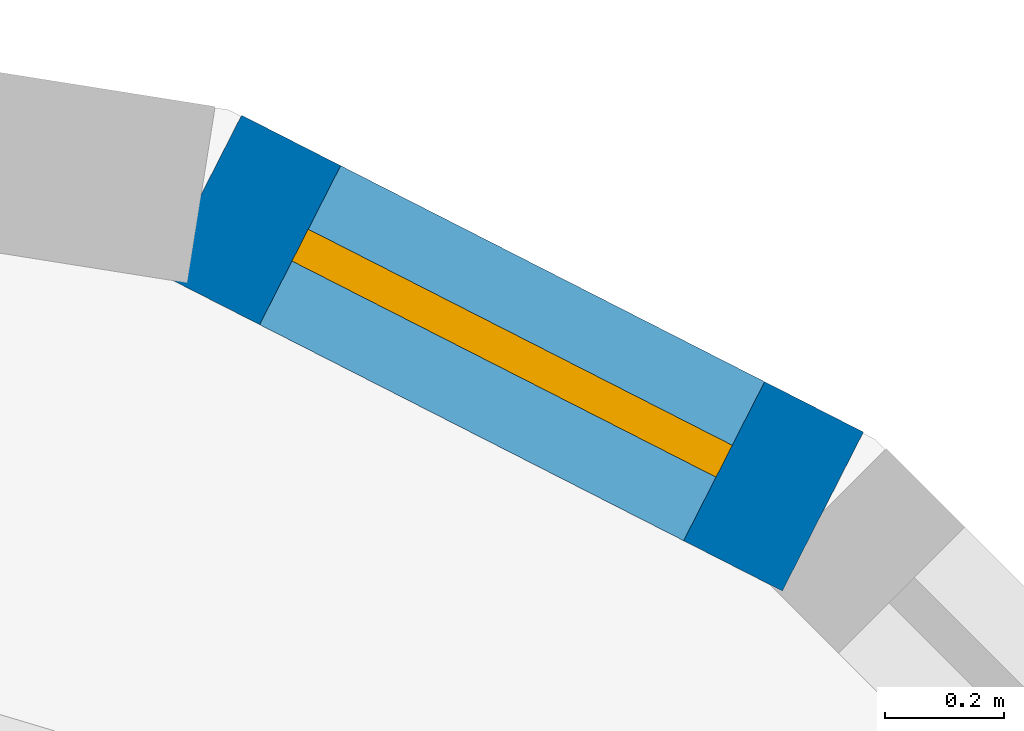
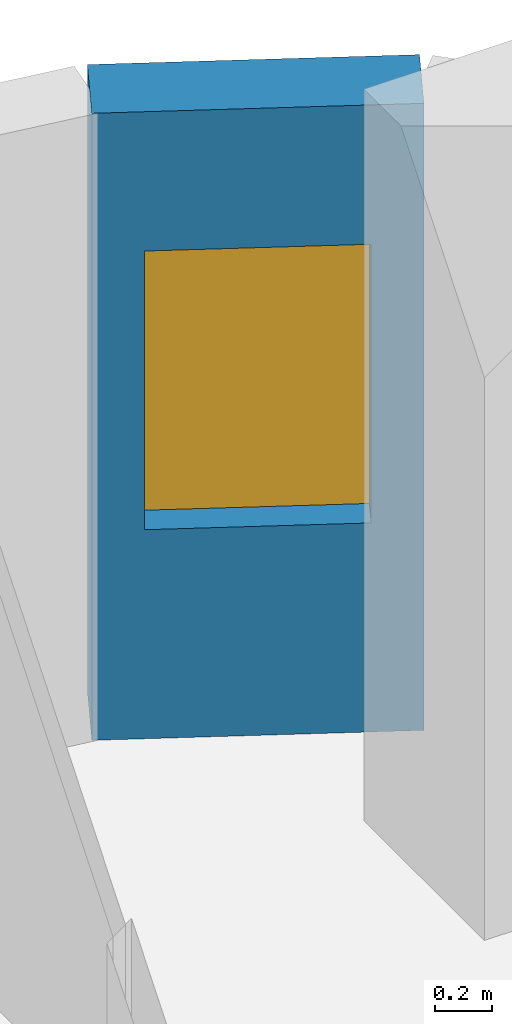
# One storey, part 10 of 14: 1 wall, 1 window, 1 opening.
"""IFC4 building model written with IfcOpenShell, lengths in metres."""

from ifc_helpers import new_model, si_unit, direction, frame, frame_2d, origin, place, context, subcontext, project, spatial, rectangle, extrude, material, layer, layer_set, type_object, element, fill, save


model = new_model("IFC4")

# Units and contexts
model_context = context("Model", 3, precision=1e-05, world=origin(), true_north=direction((0.0, 1.0)))
body_context = subcontext(model_context, "Body", "Model", "MODEL_VIEW")
ifc_project = project(units=[si_unit("LENGTHUNIT", "METRE"), si_unit("AREAUNIT", "SQUARE_METRE"), si_unit("VOLUMEUNIT", "CUBIC_METRE"), si_unit("PLANEANGLEUNIT", "RADIAN"), si_unit("MASSUNIT", "GRAM", prefix="KILO")], contexts=[model_context])

# Site, building, storey
site_placement = place(None, origin())
site = spatial("IfcSite", under=ifc_project, at=site_placement, CompositionType="ELEMENT")
building_placement = place(site_placement, origin())
building = spatial("IfcBuilding", under=site, at=building_placement, Name="Ludao Terraces", CompositionType="ELEMENT")
storey_placement = place(building_placement, frame((0.0, 0.0, 106.699951171875)))
storey = spatial("IfcBuildingStorey", under=building, at=storey_placement, Name="L29", CompositionType="ELEMENT", Elevation=106.699951171875)

# Wall, opening, window
ifc_material_1 = material(Name="Granite cladding", Category="masonry")
ifc_layer_1 = layer(ifc_material_1, 0.0400390625, Category="stone")
ifc_material_2 = material(Name="Mineral wool")
ifc_layer_2 = layer(ifc_material_2, 0.06005859375)
ifc_material_3 = material(Name="Concrete C40", Category="concrete")
ifc_layer_3 = layer(ifc_material_3, 0.199951171875, Category="concrete")
ifc_layer_set_1 = layer_set([ifc_layer_1, ifc_layer_2, ifc_layer_3], Name="ENV Stone-clad wall 300")
wall_type = type_object("IfcWallType", Name="ENV Stone-clad wall 300", PredefinedType="SOLIDWALL", material=ifc_layer_set_1)
wall_placement = place(storey_placement, frame((102.80419921875, 83.6337890625, 0.0), z_axis=(0.0, 0.0, 1.0), x_axis=(-0.890988677504, 0.454025524128, 0.0)))
wall = element("IfcWall", 1, at=wall_placement, inside=storey, type_object=wall_type, Name="EW-L29-NE4", PredefinedType="SOLIDWALL", context=body_context, shape_type="SweptSolid", body=[
    extrude(rectangle(XDim=1.17333984375, YDim=0.300048828125, at=frame_2d((0.586669921875, 0.0))), origin(), (0.0, 0.0, 1.0), 2.699951171875),
])
opening_placement = place(wall_placement, frame((0.1865234375, 0.0, 0.89990234375)))
opening = element("IfcOpeningElement", 2, at=opening_placement, cuts=wall, Name="Opening W3", PredefinedType="OPENING", context=body_context, shape_type="SweptSolid", body=[
    extrude(rectangle(XDim=0.800048828125, YDim=1.199951171875, at=frame_2d((0.39990234375, 0.60009765625))), frame((0.0, 0.16015625, 0.0), z_axis=(0.0, -1.0, 0.0), x_axis=(1.0, 0.0, 0.0)), (0.0, 0.0, 1.0), 0.320068359375),
])
ifc_material_4 = material(Name="Clear glass in aluminium frame", Category="aluminium")
ifc_layer_4 = layer(ifc_material_4, 0.06005859375)
ifc_layer_set_2 = layer_set([ifc_layer_4], Name="ENV Window W3 800x1200")
window_type = type_object("IfcWindowType", Name="ENV Window W3 800x1200", PartitioningType="SINGLE_PANEL", PredefinedType="WINDOW", material=ifc_layer_set_2)
window_placement = place(opening_placement, origin())
window = element("IfcWindow", 3, at=window_placement, inside=storey, type_object=window_type, Name="W-L29-NE4", OverallHeight=1.199951171875, OverallWidth=0.800048828125, PartitioningType="SINGLE_PANEL", PredefinedType="WINDOW", context=body_context, shape_type="SweptSolid", body=[
    extrude(rectangle(XDim=0.800048828125, YDim=1.199951171875, at=frame_2d((0.39990234375, 0.60009765625))), frame((0.0, 0.030029296875, 0.0), z_axis=(0.0, -1.0, 0.0), x_axis=(1.0, 0.0, 0.0)), (0.0, 0.0, 1.0), 0.06005859375),
])
fill(opening, window)

save(model, "model.ifc")
